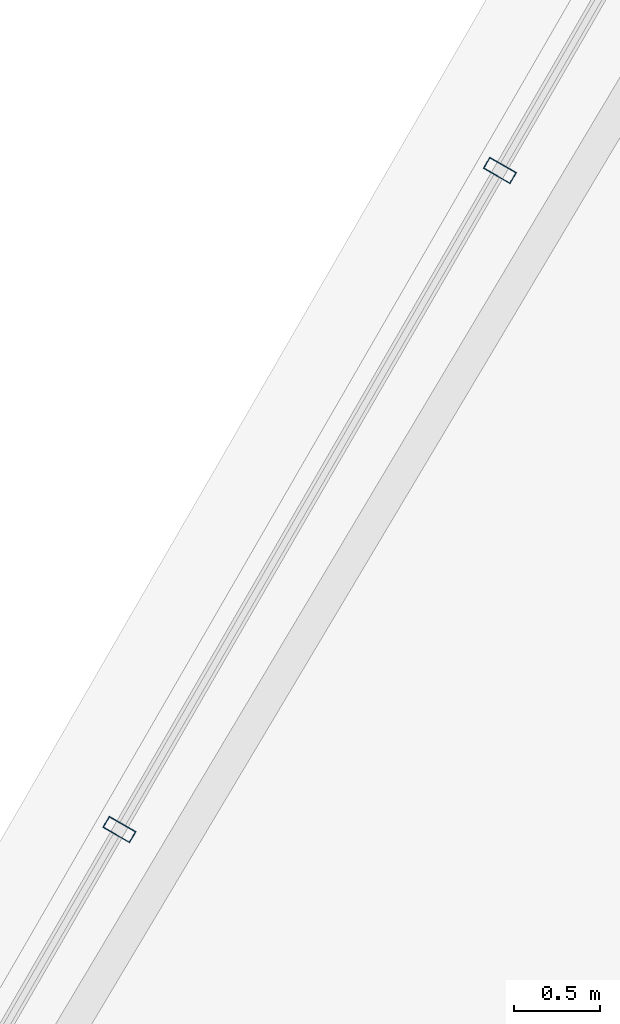
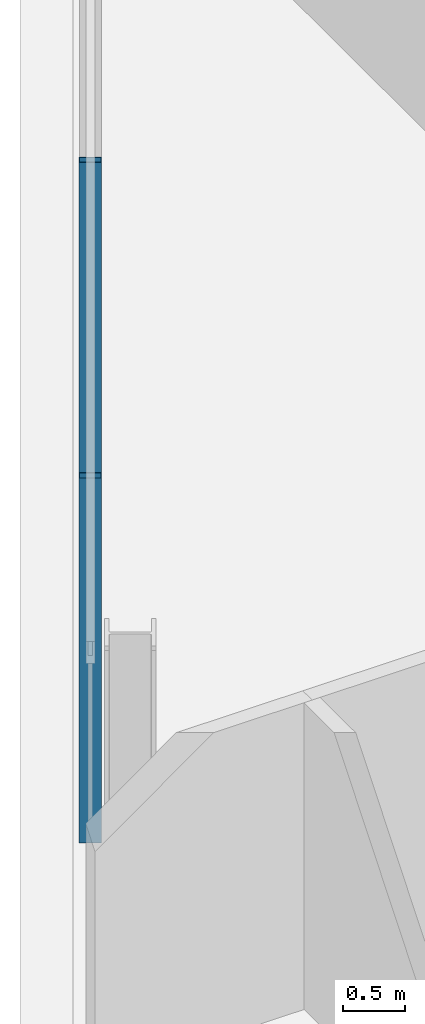
# One storey, part 14 of 34: 2 members, 1 element without a shape of its own.
"""IFC4 building model written with IfcOpenShell, lengths in metres."""

from ifc_helpers import new_model, si_unit, direction, frame, origin, origin_2d, place, context, subcontext, project, spatial, hollow_rectangle, extrude, material, layer, layer_set, material_profile, profile_set, type_object, element, aggregate, save


model = new_model("IFC4")

# Units and contexts
model_context = context("Model", 3, precision=1e-05, world=origin(), true_north=direction((0.0, 1.0)))
body_context = subcontext(model_context, "Body", "Model", "MODEL_VIEW")
ifc_project = project(units=[si_unit("LENGTHUNIT", "METRE"), si_unit("AREAUNIT", "SQUARE_METRE"), si_unit("VOLUMEUNIT", "CUBIC_METRE"), si_unit("PLANEANGLEUNIT", "RADIAN"), si_unit("MASSUNIT", "GRAM", prefix="KILO")], contexts=[model_context])

# Site, building, storey
site_placement = place(None, origin())
site = spatial("IfcSite", under=ifc_project, at=site_placement, CompositionType="ELEMENT")
building_placement = place(site_placement, origin())
building = spatial("IfcBuilding", under=site, at=building_placement, Name="Ndaravel Arena Tower", CompositionType="ELEMENT")
storey_placement = place(building_placement, frame((0.0, 0.0, 263.60009765625)))
storey = spatial("IfcBuildingStorey", under=building, at=storey_placement, Name="L64", CompositionType="ELEMENT", Elevation=263.60009765625)

# Curtain wall, members
ifc_material_1 = material(Name="Aluminium", Category="aluminium")
ifc_layer = layer(ifc_material_1, 0.179931640625)
ifc_layer_set = layer_set([ifc_layer], Name="Aluminium")
curtain_wall_type = type_object("IfcCurtainWallType", Name="CW-SYS-03", PredefinedType="NOTDEFINED", material=ifc_layer_set)
curtain_wall_placement = place(storey_placement, origin())
curtain_wall = element("IfcCurtainWall", 1, at=curtain_wall_placement, inside=storey, type_object=curtain_wall_type, Name="L64 Faceted Crystal Curtain Wall CW-L64-E05", PredefinedType="NOTDEFINED")
ifc_material_2 = material(Name="Aluminium", Category="aluminium")
ifc_material_profile = material_profile(ifc_material_2, hollow_rectangle(XDim=0.074951171875, YDim=0.179931640625, WallThickness=0.00390625, at=origin_2d()), Name="CW MULLION 75x180x4")
ifc_profile_set = profile_set([ifc_material_profile], Name="Aluminium")
member_type = type_object("IfcMemberType", Name="MEM-CW-MUL180", PredefinedType="MULLION", material=ifc_profile_set)
member_1_placement = place(storey_placement, frame((32.635986328125, 32.868408203125, 0.0), z_axis=(0.0, 0.0, 1.0), x_axis=(-0.5, -0.866025403784, 0.0)))
member_1 = element("IfcMember", 2, at=member_1_placement, type_object=member_type, Name="CW-L64-E05 Mullion 03", PredefinedType="MULLION", context=body_context, shape_type="SweptSolid", body=[
    extrude(hollow_rectangle(XDim=0.074951171875, YDim=0.179931640625, WallThickness=0.00390625, at=origin_2d()), origin(), (0.0, 0.0, 1.0), 3.579833984375),
])
member_2_placement = place(storey_placement, frame((30.4248046875, 29.03857421875, 0.0), z_axis=(0.0, 0.0, 1.0), x_axis=(-0.5, -0.866025403784, 0.0)))
member_2 = element("IfcMember", 3, at=member_2_placement, type_object=member_type, Name="CW-L64-E05 Mullion 04", PredefinedType="MULLION", context=body_context, shape_type="SweptSolid", body=[
    extrude(hollow_rectangle(XDim=0.074951171875, YDim=0.179931640625, WallThickness=0.00390625, at=origin_2d()), origin(), (0.0, 0.0, 1.0), 3.579833984375),
])
aggregate(curtain_wall, [member_1, member_2])

save(model, "model.ifc")
